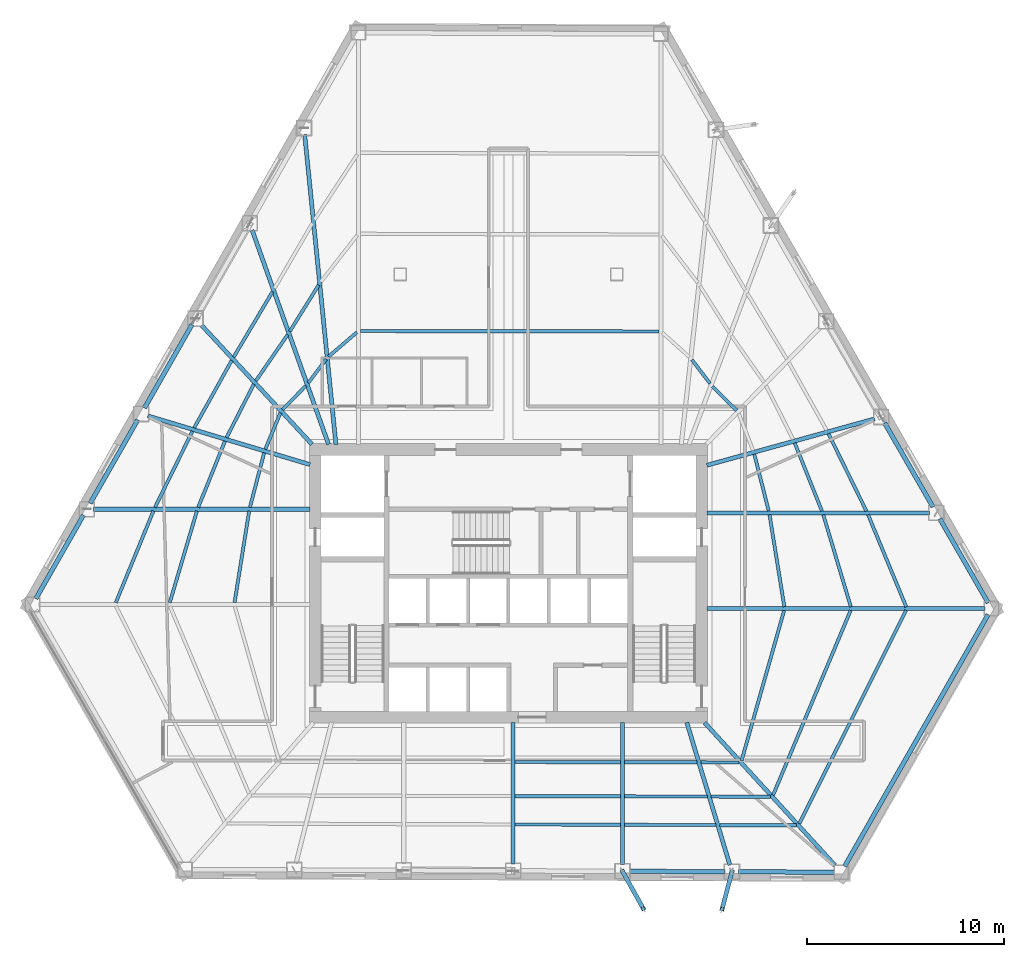
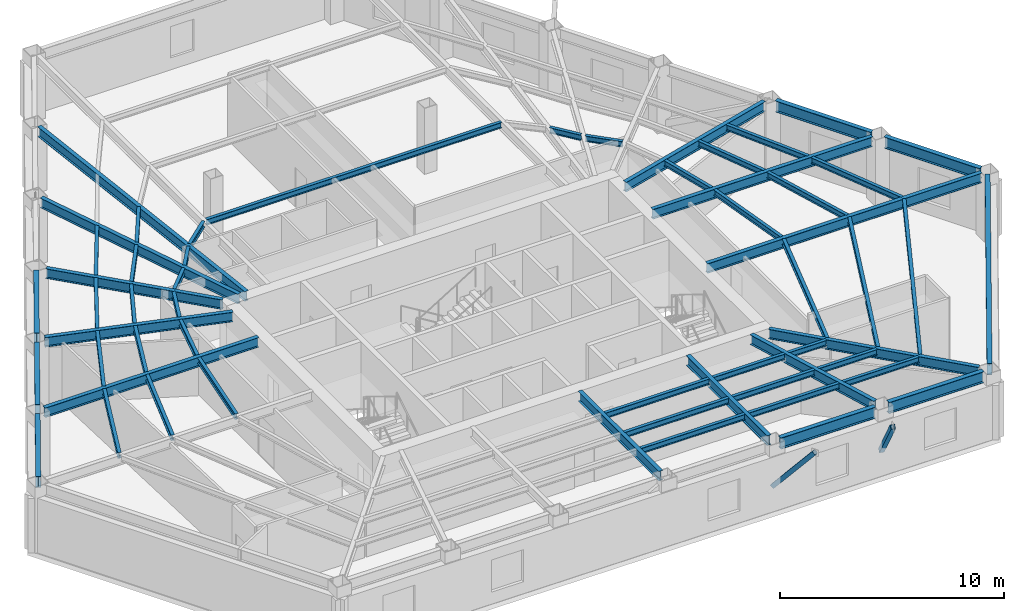
# One storey, part 3 of 13: 56 beams, 2 members.
"""IFC4 building model written with IfcOpenShell, lengths in metres."""

from ifc_helpers import new_model, si_unit, direction, frame, origin, origin_2d, place, context, subcontext, project, spatial, hollow_rectangle, i_section, extrude, material, material_profile, profile_set, type_object, element, save


model = new_model("IFC4")

# Units and contexts
model_context = context("Model", 3, precision=1e-05, world=origin(), true_north=direction((0.0, 1.0)))
body_context = subcontext(model_context, "Body", "Model", "MODEL_VIEW")
ifc_project = project(units=[si_unit("LENGTHUNIT", "METRE"), si_unit("AREAUNIT", "SQUARE_METRE"), si_unit("VOLUMEUNIT", "CUBIC_METRE"), si_unit("PLANEANGLEUNIT", "RADIAN"), si_unit("MASSUNIT", "GRAM", prefix="KILO")], contexts=[model_context])

# Site, building, storey
site_placement = place(None, origin())
site = spatial("IfcSite", under=ifc_project, at=site_placement, CompositionType="ELEMENT")
building_placement = place(site_placement, origin())
building = spatial("IfcBuilding", under=site, at=building_placement, Name="Kavelnor Concourse Tower", CompositionType="ELEMENT")
storey_placement = place(building_placement, frame((0.0, 0.0, 36.800048828125)))
storey = spatial("IfcBuildingStorey", under=building, at=storey_placement, Name="L09", CompositionType="ELEMENT", Elevation=36.800048828125)

# Beams
ifc_material = material(Name="Steel Grade 350", Category="steel")
ifc_material_profile_1 = material_profile(ifc_material, i_section(OverallWidth=0.166015625, OverallDepth=0.306884765625, WebThickness=0.006591796875, FlangeThickness=0.01171875, at=origin_2d()), Name="310UB46")
ifc_profile_set_1 = profile_set([ifc_material_profile_1], Name="Steel Grade 350")
beam_type_1 = type_object("IfcBeamType", Name="BM-JOIST-310", PredefinedType="JOIST", material=ifc_profile_set_1)
for number, where, z_axis, x_axis, name in (
    (1, (38.335205078125, 7.022216796875, 3.4365234375), (0.999999352103, -0.001138329105, 0.0), (0.001138329105, 0.999999352103, 0.0), "L09 Secondary Composite Joist 05-1"),
    (2, (38.335205078125, 5.292724609375, 3.4365234375), (0.999997710079, -0.002140055203, 0.0), (0.002140055203, 0.999997710079, 0.0), "L09 Secondary Composite Joist 05-2"),
    (3, (38.335205078125, 3.8515625, 3.4365234375), (0.999995484445, -0.003005177214, 0.0), (0.003005177214, 0.999995484445, 0.0), "L09 Secondary Composite Joist 05-3"),
):
    element("IfcBeam", number, at=place(storey_placement, frame(where, z_axis=z_axis, x_axis=x_axis)), inside=storey, type_object=beam_type_1, Name=name, PredefinedType="JOIST", context=body_context, shape_type="SweptSolid", body=[
        extrude(i_section(OverallWidth=0.166015625, OverallDepth=0.306884765625, WebThickness=0.006591796875, FlangeThickness=0.01171875, at=origin_2d()), origin(), (0.0, 0.0, 1.0), 5.36181640625),
    ])
beam_1_placement = place(storey_placement, frame((43.89404296875, 7.015625, 3.4365234375), z_axis=(0.999998276675, -0.001856514504, 0.0), x_axis=(0.001856514504, 0.999998276675, 0.0)))
element("IfcBeam", 4, at=beam_1_placement, inside=storey, type_object=beam_type_1, Name="L09 Secondary Composite Joist 06-1", PredefinedType="JOIST", context=body_context, shape_type="SweptSolid", body=[
    extrude(i_section(OverallWidth=0.166015625, OverallDepth=0.306884765625, WebThickness=0.006591796875, FlangeThickness=0.01171875, at=origin_2d()), origin(), (0.0, 0.0, 1.0), 3.68212890625),
])
beam_2_placement = place(storey_placement, frame((43.89404296875, 5.28076171875, 3.4365234375), z_axis=(0.999996281732, -0.002726998854, 0.0), x_axis=(0.002726998854, 0.999996281732, 0.0)))
element("IfcBeam", 5, at=beam_2_placement, inside=storey, type_object=beam_type_1, Name="L09 Secondary Composite Joist 06-2", PredefinedType="JOIST", context=body_context, shape_type="SweptSolid", body=[
    extrude(i_section(OverallWidth=0.166015625, OverallDepth=0.306884765625, WebThickness=0.006591796875, FlangeThickness=0.01171875, at=origin_2d()), origin(), (0.0, 0.0, 1.0), 4.207763671875),
])
beam_3_placement = place(storey_placement, frame((43.89404296875, 3.8349609375, 3.4365234375), z_axis=(0.999994519558, -0.0033107181, 0.0), x_axis=(0.0033107181, 0.999994519558, 0.0)))
element("IfcBeam", 6, at=beam_3_placement, inside=storey, type_object=beam_type_1, Name="L09 Secondary Composite Joist 06-3", PredefinedType="JOIST", context=body_context, shape_type="SweptSolid", body=[
    extrude(i_section(OverallWidth=0.166015625, OverallDepth=0.306884765625, WebThickness=0.006591796875, FlangeThickness=0.01171875, at=origin_2d()), origin(), (0.0, 0.0, 1.0), 4.645751953125),
])
beam_4_placement = place(storey_placement, frame((47.773193359375, 7.00830078125, 3.4365234375), z_axis=(0.999988057764, -0.004887159681, 0.0), x_axis=(0.004887159681, 0.999988057764, 0.0)))
element("IfcBeam", 7, at=beam_4_placement, inside=storey, type_object=beam_type_1, Name="L09 Secondary Composite Joist 07-1", PredefinedType="JOIST", context=body_context, shape_type="SweptSolid", body=[
    extrude(i_section(OverallWidth=0.166015625, OverallDepth=0.306884765625, WebThickness=0.006591796875, FlangeThickness=0.01171875, at=origin_2d()), origin(), (0.0, 0.0, 1.0), 1.9482421875),
])
beam_5_placement = place(storey_placement, frame((48.298583984375, 5.268798828125, 3.4365234375), z_axis=(0.999993356323, -0.003645176268, 0.0), x_axis=(0.003645176268, 0.999993356323, 0.0)))
element("IfcBeam", 8, at=beam_5_placement, inside=storey, type_object=beam_type_1, Name="L09 Secondary Composite Joist 07-2", PredefinedType="JOIST", context=body_context, shape_type="SweptSolid", body=[
    extrude(i_section(OverallWidth=0.166015625, OverallDepth=0.306884765625, WebThickness=0.006591796875, FlangeThickness=0.01171875, at=origin_2d()), origin(), (0.0, 0.0, 1.0), 3.013916015625),
])
beam_6_placement = place(storey_placement, frame((48.73681640625, 3.819091796875, 3.4365234375), z_axis=(0.999995104993, -0.003128895823, 0.0), x_axis=(0.003128895823, 0.999995104993, 0.0)))
element("IfcBeam", 9, at=beam_6_placement, inside=storey, type_object=beam_type_1, Name="L09 Secondary Composite Joist 07-3", PredefinedType="JOIST", context=body_context, shape_type="SweptSolid", body=[
    extrude(i_section(OverallWidth=0.166015625, OverallDepth=0.306884765625, WebThickness=0.006591796875, FlangeThickness=0.01171875, at=origin_2d()), origin(), (0.0, 0.0, 1.0), 3.9013671875),
])
beam_7_placement = place(storey_placement, frame((49.8466796875, 7.093017578125, 3.4365234375), z_axis=(0.272525166753, 0.962148654568, 0.0), x_axis=(-0.962148654568, 0.272525166753, 0.0)))
element("IfcBeam", 10, at=beam_7_placement, inside=storey, type_object=beam_type_1, Name="L09 Secondary Composite Joist 08-1", PredefinedType="JOIST", context=body_context, shape_type="SweptSolid", body=[
    extrude(i_section(OverallWidth=0.166015625, OverallDepth=0.306884765625, WebThickness=0.006591796875, FlangeThickness=0.01171875, at=origin_2d()), origin(), (0.0, 0.0, 1.0), 7.931884765625),
])
beam_8_placement = place(storey_placement, frame((51.44921875, 5.34814453125, 3.4365234375), z_axis=(0.387076223089, 0.922047719762, 0.0), x_axis=(-0.922047719762, 0.387076223089, 0.0)))
element("IfcBeam", 11, at=beam_8_placement, inside=storey, type_object=beam_type_1, Name="L09 Secondary Composite Joist 08-2", PredefinedType="JOIST", context=body_context, shape_type="SweptSolid", body=[
    extrude(i_section(OverallWidth=0.166015625, OverallDepth=0.306884765625, WebThickness=0.006591796875, FlangeThickness=0.01171875, at=origin_2d()), origin(), (0.0, 0.0, 1.0), 10.173583984375),
])
beam_9_placement = place(storey_placement, frame((52.781005859375, 3.89453125, 3.4365234375), z_axis=(0.447680896946, 0.894193387646, 0.0), x_axis=(-0.894193387646, 0.447680896946, 0.0)))
element("IfcBeam", 12, at=beam_9_placement, inside=storey, type_object=beam_type_1, Name="L09 Secondary Composite Joist 08-3", PredefinedType="JOIST", context=body_context, shape_type="SweptSolid", body=[
    extrude(i_section(OverallWidth=0.166015625, OverallDepth=0.306884765625, WebThickness=0.006591796875, FlangeThickness=0.01171875, at=origin_2d()), origin(), (0.0, 0.0, 1.0), 12.119140625),
])
beam_10_placement = place(storey_placement, frame((52.01953125, 14.916748046875, 3.4365234375), z_axis=(-0.159026474637, 0.9872743187, 0.0), x_axis=(-0.9872743187, -0.159026474637, 0.0)))
element("IfcBeam", 13, at=beam_10_placement, inside=storey, type_object=beam_type_1, Name="L09 Secondary Composite Joist 09-1", PredefinedType="JOIST", context=body_context, shape_type="SweptSolid", body=[
    extrude(i_section(OverallWidth=0.166015625, OverallDepth=0.306884765625, WebThickness=0.006591796875, FlangeThickness=0.01171875, at=origin_2d()), origin(), (0.0, 0.0, 1.0), 4.733154296875),
])
beam_11_placement = place(storey_placement, frame((55.397216796875, 14.913818359375, 3.4365234375), z_axis=(-0.286618524565, 0.958044790903, 0.0), x_axis=(-0.958044790903, -0.286618524565, 0.0)))
element("IfcBeam", 14, at=beam_11_placement, inside=storey, type_object=beam_type_1, Name="L09 Secondary Composite Joist 09-2", PredefinedType="JOIST", context=body_context, shape_type="SweptSolid", body=[
    extrude(i_section(OverallWidth=0.166015625, OverallDepth=0.306884765625, WebThickness=0.006591796875, FlangeThickness=0.01171875, at=origin_2d()), origin(), (0.0, 0.0, 1.0), 4.88330078125),
])
beam_12_placement = place(storey_placement, frame((58.212890625, 14.910400390625, 3.4365234375), z_axis=(-0.382676345112, 0.923882468116, 0.0), x_axis=(-0.923882468116, -0.382676345112, 0.0)))
element("IfcBeam", 15, at=beam_12_placement, inside=storey, type_object=beam_type_1, Name="L09 Secondary Composite Joist 09-3", PredefinedType="JOIST", context=body_context, shape_type="SweptSolid", body=[
    extrude(i_section(OverallWidth=0.166015625, OverallDepth=0.306884765625, WebThickness=0.006591796875, FlangeThickness=0.01171875, at=origin_2d()), origin(), (0.0, 0.0, 1.0), 5.0712890625),
])
beam_13_placement = place(storey_placement, frame((51.226806640625, 19.7822265625, 3.4365234375), z_axis=(-0.246757670458, 0.969077216774, 0.0), x_axis=(-0.969077216774, -0.246757670458, 0.0)))
element("IfcBeam", 16, at=beam_13_placement, inside=storey, type_object=beam_type_1, Name="L09 Secondary Composite Joist 10-1", PredefinedType="JOIST", context=body_context, shape_type="SweptSolid", body=[
    extrude(i_section(OverallWidth=0.166015625, OverallDepth=0.306884765625, WebThickness=0.006591796875, FlangeThickness=0.01171875, at=origin_2d()), origin(), (0.0, 0.0, 1.0), 2.97802734375),
])
beam_14_placement = place(storey_placement, frame((53.9326171875, 19.7783203125, 3.4365234375), z_axis=(-0.371243787656, 0.928535432887, 0.0), x_axis=(-0.928535432887, -0.371243787656, 0.0)))
element("IfcBeam", 17, at=beam_14_placement, inside=storey, type_object=beam_type_1, Name="L09 Secondary Composite Joist 10-2", PredefinedType="JOIST", context=body_context, shape_type="SweptSolid", body=[
    extrude(i_section(OverallWidth=0.166015625, OverallDepth=0.306884765625, WebThickness=0.006591796875, FlangeThickness=0.01171875, at=origin_2d()), origin(), (0.0, 0.0, 1.0), 3.7255859375),
])
beam_15_placement = place(storey_placement, frame((56.191162109375, 19.775146484375, 3.4365234375), z_axis=(-0.440250530354, 0.897874974884, 0.0), x_axis=(-0.897874974884, -0.440250530354, 0.0)))
element("IfcBeam", 18, at=beam_15_placement, inside=storey, type_object=beam_type_1, Name="L09 Secondary Composite Joist 10-3", PredefinedType="JOIST", context=body_context, shape_type="SweptSolid", body=[
    extrude(i_section(OverallWidth=0.166015625, OverallDepth=0.306884765625, WebThickness=0.006591796875, FlangeThickness=0.01171875, at=origin_2d()), origin(), (0.0, 0.0, 1.0), 4.38427734375),
])
beam_16_placement = place(storey_placement, frame((49.59375, 24.892578125, 3.4365234375), z_axis=(-0.707742827078, 0.706470162654, 0.0), x_axis=(-0.706470162654, -0.707742827078, 0.0)))
element("IfcBeam", 19, at=beam_16_placement, inside=storey, type_object=beam_type_1, Name="L09 Secondary Composite Joist 12-1", PredefinedType="JOIST", context=body_context, shape_type="SweptSolid", body=[
    extrude(i_section(OverallWidth=0.166015625, OverallDepth=0.306884765625, WebThickness=0.006591796875, FlangeThickness=0.01171875, at=origin_2d()), origin(), (0.0, 0.0, 1.0), 1.7265625),
])
beam_17_placement = place(storey_placement, frame((48.242431640625, 26.26025390625, 3.4365234375), z_axis=(-0.606169429646, 0.795335540865, 0.0), x_axis=(-0.795335540865, -0.606169429646, 0.0)))
element("IfcBeam", 20, at=beam_17_placement, inside=storey, type_object=beam_type_1, Name="L09 Secondary Composite Joist 13-1", PredefinedType="JOIST", context=body_context, shape_type="SweptSolid", body=[
    extrude(i_section(OverallWidth=0.166015625, OverallDepth=0.306884765625, WebThickness=0.006591796875, FlangeThickness=0.01171875, at=origin_2d()), origin(), (0.0, 0.0, 1.0), 1.51513671875),
])
beam_18_placement = place(storey_placement, frame((45.645263671875, 28.906494140625, 3.4365234375), z_axis=(-0.999999310406, 0.001174387865, 0.0), x_axis=(-0.001174387865, -0.999999310406, 0.0)))
element("IfcBeam", 21, at=beam_18_placement, inside=storey, type_object=beam_type_1, Name="L09 Secondary Composite Joist 15-1", PredefinedType="JOIST", context=body_context, shape_type="SweptSolid", body=[
    extrude(i_section(OverallWidth=0.166015625, OverallDepth=0.306884765625, WebThickness=0.006591796875, FlangeThickness=0.01171875, at=origin_2d()), origin(), (0.0, 0.0, 1.0), 15.17578125),
])
beam_19_placement = place(storey_placement, frame((30.296142578125, 28.860107421875, 3.4365234375), z_axis=(-0.759420986277, -0.650599543193, 0.0), x_axis=(0.650599543193, -0.759420986277, 0.0)))
element("IfcBeam", 22, at=beam_19_placement, inside=storey, type_object=beam_type_1, Name="L09 Secondary Composite Joist 16-1", PredefinedType="JOIST", context=body_context, shape_type="SweptSolid", body=[
    extrude(i_section(OverallWidth=0.166015625, OverallDepth=0.306884765625, WebThickness=0.006591796875, FlangeThickness=0.01171875, at=origin_2d()), origin(), (0.0, 0.0, 1.0), 1.88671875),
])
beam_20_placement = place(storey_placement, frame((28.729248046875, 27.489501953125, 3.4365234375), z_axis=(-0.600443352276, -0.799667293759, 0.0), x_axis=(0.799667293759, -0.600443352276, 0.0)))
element("IfcBeam", 23, at=beam_20_placement, inside=storey, type_object=beam_type_1, Name="L09 Secondary Composite Joist 17-1", PredefinedType="JOIST", context=body_context, shape_type="SweptSolid", body=[
    extrude(i_section(OverallWidth=0.166015625, OverallDepth=0.306884765625, WebThickness=0.006591796875, FlangeThickness=0.01171875, at=origin_2d()), origin(), (0.0, 0.0, 1.0), 1.49755859375),
])
beam_21_placement = place(storey_placement, frame((28.355224609375, 31.26318359375, 3.4365234375), z_axis=(-0.528810082343, -0.84874018216, 0.0), x_axis=(0.84874018216, -0.528810082343, 0.0)))
element("IfcBeam", 24, at=beam_21_placement, inside=storey, type_object=beam_type_1, Name="L09 Secondary Composite Joist 17-2", PredefinedType="JOIST", context=body_context, shape_type="SweptSolid", body=[
    extrude(i_section(OverallWidth=0.166015625, OverallDepth=0.306884765625, WebThickness=0.006591796875, FlangeThickness=0.01171875, at=origin_2d()), origin(), (0.0, 0.0, 1.0), 2.77001953125),
])
beam_22_placement = place(storey_placement, frame((27.701904296875, 26.142822265625, 3.4365234375), z_axis=(-0.699210925714, -0.714915436512, 0.0), x_axis=(0.714915436512, -0.699210925714, 0.0)))
element("IfcBeam", 25, at=beam_22_placement, inside=storey, type_object=beam_type_1, Name="L09 Secondary Composite Joist 18-1", PredefinedType="JOIST", context=body_context, shape_type="SweptSolid", body=[
    extrude(i_section(OverallWidth=0.166015625, OverallDepth=0.306884765625, WebThickness=0.006591796875, FlangeThickness=0.01171875, at=origin_2d()), origin(), (0.0, 0.0, 1.0), 1.694580078125),
])
beam_23_placement = place(storey_placement, frame((26.78271484375, 28.747314453125, 3.4365234375), z_axis=(-0.567064719326, -0.823673238666, 0.0), x_axis=(0.823673238666, -0.567064719326, 0.0)))
element("IfcBeam", 26, at=beam_23_placement, inside=storey, type_object=beam_type_1, Name="L09 Secondary Composite Joist 18-2", PredefinedType="JOIST", context=body_context, shape_type="SweptSolid", body=[
    extrude(i_section(OverallWidth=0.166015625, OverallDepth=0.306884765625, WebThickness=0.006591796875, FlangeThickness=0.01171875, at=origin_2d()), origin(), (0.0, 0.0, 1.0), 2.86083984375),
])
beam_24_placement = place(storey_placement, frame((26.010986328125, 30.923095703125, 3.4365234375), z_axis=(-0.511240622759, -0.859437621728, 0.0), x_axis=(0.859437621728, -0.511240622759, 0.0)))
element("IfcBeam", 27, at=beam_24_placement, inside=storey, type_object=beam_type_1, Name="L09 Secondary Composite Joist 18-3", PredefinedType="JOIST", context=body_context, shape_type="SweptSolid", body=[
    extrude(i_section(OverallWidth=0.166015625, OverallDepth=0.306884765625, WebThickness=0.006591796875, FlangeThickness=0.01171875, at=origin_2d()), origin(), (0.0, 0.0, 1.0), 3.86474609375),
])
beam_25_placement = place(storey_placement, frame((26.41064453125, 24.77001953125, 3.4365234375), z_axis=(-0.381769226416, -0.924257679309, 0.0), x_axis=(0.924257679309, -0.381769226416, 0.0)))
element("IfcBeam", 28, at=beam_25_placement, inside=storey, type_object=beam_type_1, Name="L09 Secondary Composite Joist 19-1", PredefinedType="JOIST", context=body_context, shape_type="SweptSolid", body=[
    extrude(i_section(OverallWidth=0.166015625, OverallDepth=0.306884765625, WebThickness=0.006591796875, FlangeThickness=0.01171875, at=origin_2d()), origin(), (0.0, 0.0, 1.0), 1.9990234375),
])
beam_26_placement = place(storey_placement, frame((25.059814453125, 26.221923828125, 3.4365234375), z_axis=(-0.454869249595, -0.890558232668, 0.0), x_axis=(0.890558232668, -0.454869249595, 0.0)))
element("IfcBeam", 29, at=beam_26_placement, inside=storey, type_object=beam_type_1, Name="L09 Secondary Composite Joist 19-2", PredefinedType="JOIST", context=body_context, shape_type="SweptSolid", body=[
    extrude(i_section(OverallWidth=0.166015625, OverallDepth=0.306884765625, WebThickness=0.006591796875, FlangeThickness=0.01171875, at=origin_2d()), origin(), (0.0, 0.0, 1.0), 3.042236328125),
])
beam_27_placement = place(storey_placement, frame((23.93701171875, 27.430908203125, 3.4365234375), z_axis=(-0.486409497669, -0.873730965788, 0.0), x_axis=(0.873730965788, -0.486409497669, 0.0)))
element("IfcBeam", 30, at=beam_27_placement, inside=storey, type_object=beam_type_1, Name="L09 Secondary Composite Joist 19-3", PredefinedType="JOIST", context=body_context, shape_type="SweptSolid", body=[
    extrude(i_section(OverallWidth=0.166015625, OverallDepth=0.306884765625, WebThickness=0.006591796875, FlangeThickness=0.01171875, at=origin_2d()), origin(), (0.0, 0.0, 1.0), 3.919921875),
])
beam_28_placement = place(storey_placement, frame((25.5849609375, 22.736083984375, 3.4365234375), z_axis=(-0.252380217866, -0.967628144294, 0.0), x_axis=(0.967628144294, -0.252380217866, 0.0)))
element("IfcBeam", 31, at=beam_28_placement, inside=storey, type_object=beam_type_1, Name="L09 Secondary Composite Joist 20-1", PredefinedType="JOIST", context=body_context, shape_type="SweptSolid", body=[
    extrude(i_section(OverallWidth=0.166015625, OverallDepth=0.306884765625, WebThickness=0.006591796875, FlangeThickness=0.01171875, at=origin_2d()), origin(), (0.0, 0.0, 1.0), 2.861328125),
])
beam_29_placement = place(storey_placement, frame((23.594482421875, 23.333740234375, 3.4365234375), z_axis=(-0.374515243814, -0.927220756967, 0.0), x_axis=(0.927220756967, -0.374515243814, 0.0)))
element("IfcBeam", 32, at=beam_29_placement, inside=storey, type_object=beam_type_1, Name="L09 Secondary Composite Joist 20-2", PredefinedType="JOIST", context=body_context, shape_type="SweptSolid", body=[
    extrude(i_section(OverallWidth=0.166015625, OverallDepth=0.306884765625, WebThickness=0.006591796875, FlangeThickness=0.01171875, at=origin_2d()), origin(), (0.0, 0.0, 1.0), 3.635009765625),
])
beam_30_placement = place(storey_placement, frame((21.93896484375, 23.831298828125, 3.4365234375), z_axis=(-0.440793456643, -0.897608560889, 0.0), x_axis=(0.897608560889, -0.440793456643, 0.0)))
element("IfcBeam", 33, at=beam_30_placement, inside=storey, type_object=beam_type_1, Name="L09 Secondary Composite Joist 20-3", PredefinedType="JOIST", context=body_context, shape_type="SweptSolid", body=[
    extrude(i_section(OverallWidth=0.166015625, OverallDepth=0.306884765625, WebThickness=0.006591796875, FlangeThickness=0.01171875, at=origin_2d()), origin(), (0.0, 0.0, 1.0), 4.3125),
])
beam_31_placement = place(storey_placement, frame((24.822509765625, 19.774658203125, 3.4365234375), z_axis=(-0.157565695616, -0.987508507085, 0.0), x_axis=(0.987508507085, -0.157565695616, 0.0)))
element("IfcBeam", 34, at=beam_31_placement, inside=storey, type_object=beam_type_1, Name="L09 Secondary Composite Joist 21-1", PredefinedType="JOIST", context=body_context, shape_type="SweptSolid", body=[
    extrude(i_section(OverallWidth=0.166015625, OverallDepth=0.306884765625, WebThickness=0.006591796875, FlangeThickness=0.01171875, at=origin_2d()), origin(), (0.0, 0.0, 1.0), 4.707275390625),
])
beam_32_placement = place(storey_placement, frame((22.168212890625, 19.777587890625, 3.4365234375), z_axis=(-0.284107165862, -0.95879253142, 0.0), x_axis=(0.95879253142, -0.284107165862, 0.0)))
element("IfcBeam", 35, at=beam_32_placement, inside=storey, type_object=beam_type_1, Name="L09 Secondary Composite Joist 21-2", PredefinedType="JOIST", context=body_context, shape_type="SweptSolid", body=[
    extrude(i_section(OverallWidth=0.166015625, OverallDepth=0.306884765625, WebThickness=0.006591796875, FlangeThickness=0.01171875, at=origin_2d()), origin(), (0.0, 0.0, 1.0), 4.854248046875),
])
beam_33_placement = place(storey_placement, frame((19.95751953125, 19.781005859375, 3.4365234375), z_axis=(-0.379589326455, -0.925155091453, 0.0), x_axis=(0.925155091453, -0.379589326455, 0.0)))
element("IfcBeam", 36, at=beam_33_placement, inside=storey, type_object=beam_type_1, Name="L09 Secondary Composite Joist 21-3", PredefinedType="JOIST", context=body_context, shape_type="SweptSolid", body=[
    extrude(i_section(OverallWidth=0.166015625, OverallDepth=0.306884765625, WebThickness=0.006591796875, FlangeThickness=0.01171875, at=origin_2d()), origin(), (0.0, 0.0, 1.0), 5.037841796875),
])
ifc_material_profile_2 = material_profile(ifc_material, i_section(OverallWidth=0.208984375, OverallDepth=0.528076171875, WebThickness=0.009521484375, FlangeThickness=0.01318359375, at=origin_2d()), Name="530UB82")
ifc_profile_set_2 = profile_set([ifc_material_profile_2], Name="Steel Grade 350")
beam_type_2 = type_object("IfcBeamType", Name="BM-PRIMARY-530", PredefinedType="BEAM", material=ifc_profile_set_2)
beam_34_placement = place(storey_placement, frame((29.23291015625, 23.16015625, 3.325927734375), z_axis=(-0.100319437317, 0.994955280652, 0.0), x_axis=(-0.994955280652, -0.100319437317, 0.0)))
element("IfcBeam", 37, at=beam_34_placement, inside=storey, type_object=beam_type_2, Name="L09 Primary Floor Girder F0-B1", PredefinedType="BEAM", context=body_context, shape_type="SweptSolid", body=[
    extrude(i_section(OverallWidth=0.208984375, OverallDepth=0.528076171875, WebThickness=0.009521484375, FlangeThickness=0.01318359375, at=origin_2d()), origin(), (0.0, 0.0, 1.0), 15.823486328125),
])
beam_35_placement = place(storey_placement, frame((28.858642578125, 23.162353515625, 3.325927734375), z_axis=(-0.335837669857, 0.941919879557, 0.0), x_axis=(-0.941919879557, -0.335837669857, 0.0)))
element("IfcBeam", 38, at=beam_35_placement, inside=storey, type_object=beam_type_2, Name="L09 Primary Floor Girder F0-B2", PredefinedType="BEAM", context=body_context, shape_type="SweptSolid", body=[
    extrude(i_section(OverallWidth=0.208984375, OverallDepth=0.528076171875, WebThickness=0.009521484375, FlangeThickness=0.01318359375, at=origin_2d()), origin(), (0.0, 0.0, 1.0), 11.568115234375),
])
beam_36_placement = place(storey_placement, frame((28.01611328125, 23.170654296875, 3.325927734375), z_axis=(-0.680023335972, 0.733190468114, 0.0), x_axis=(-0.733190468114, -0.680023335972, 0.0)))
element("IfcBeam", 39, at=beam_36_placement, inside=storey, type_object=beam_type_2, Name="L09 Primary Floor Girder F0-B3", PredefinedType="BEAM", context=body_context, shape_type="SweptSolid", body=[
    extrude(i_section(OverallWidth=0.208984375, OverallDepth=0.528076171875, WebThickness=0.009521484375, FlangeThickness=0.01318359375, at=origin_2d()), origin(), (0.0, 0.0, 1.0), 8.2333984375),
])
beam_37_placement = place(storey_placement, frame((27.918212890625, 22.138671875, 3.325927734375), z_axis=(-0.957805985436, 0.287415542834, 0.0), x_axis=(-0.287415542834, -0.957805985436, 0.0)))
element("IfcBeam", 40, at=beam_37_placement, inside=storey, type_object=beam_type_2, Name="L09 Primary Floor Girder F0-B4", PredefinedType="BEAM", context=body_context, shape_type="SweptSolid", body=[
    extrude(i_section(OverallWidth=0.208984375, OverallDepth=0.528076171875, WebThickness=0.009521484375, FlangeThickness=0.01318359375, at=origin_2d()), origin(), (0.0, 0.0, 1.0), 8.607421875),
])
beam_38_placement = place(storey_placement, frame((27.919921875, 19.8720703125, 3.325927734375), z_axis=(-1.0, 0.0, 0.0), x_axis=(0.0, -1.0, 0.0)))
element("IfcBeam", 41, at=beam_38_placement, inside=storey, type_object=beam_type_2, Name="L09 Primary Floor Girder F0-B5", PredefinedType="BEAM", context=body_context, shape_type="SweptSolid", body=[
    extrude(i_section(OverallWidth=0.208984375, OverallDepth=0.528076171875, WebThickness=0.009521484375, FlangeThickness=0.01318359375, at=origin_2d()), origin(), (0.0, 0.0, 1.0), 11.00732421875),
])
beam_39_placement = place(storey_placement, frame((38.23681640625, 9.0400390625, 3.325927734375), z_axis=(0.0, -1.0, 0.0), x_axis=(1.0, 0.0, 0.0)))
element("IfcBeam", 42, at=beam_39_placement, inside=storey, type_object=beam_type_2, Name="L09 Primary Floor Girder F1-B3", PredefinedType="BEAM", context=body_context, shape_type="SweptSolid", body=[
    extrude(i_section(OverallWidth=0.208984375, OverallDepth=0.528076171875, WebThickness=0.009521484375, FlangeThickness=0.01318359375, at=origin_2d()), origin(), (0.0, 0.0, 1.0), 7.205810546875),
])
beam_40_placement = place(storey_placement, frame((43.795654296875, 9.0400390625, 3.325927734375), z_axis=(0.0, -1.0, 0.0), x_axis=(1.0, 0.0, 0.0)))
element("IfcBeam", 43, at=beam_40_placement, inside=storey, type_object=beam_type_2, Name="L09 Primary Floor Girder F1-B4", PredefinedType="BEAM", context=body_context, shape_type="SweptSolid", body=[
    extrude(i_section(OverallWidth=0.208984375, OverallDepth=0.528076171875, WebThickness=0.009521484375, FlangeThickness=0.01318359375, at=origin_2d()), origin(), (0.0, 0.0, 1.0), 7.22900390625),
])
beam_41_placement = place(storey_placement, frame((47.0615234375, 9.038330078125, 3.325927734375), z_axis=(0.289181325392, -0.957274339489, 0.0), x_axis=(0.957274339489, 0.289181325392, 0.0)))
element("IfcBeam", 44, at=beam_41_placement, inside=storey, type_object=beam_type_2, Name="L09 Primary Floor Girder F1-B5", PredefinedType="BEAM", context=body_context, shape_type="SweptSolid", body=[
    extrude(i_section(OverallWidth=0.208984375, OverallDepth=0.528076171875, WebThickness=0.009521484375, FlangeThickness=0.01318359375, at=origin_2d()), origin(), (0.0, 0.0, 1.0), 7.572021484375),
])
beam_42_placement = place(storey_placement, frame((47.9638671875, 9.029541015625, 3.325927734375), z_axis=(0.674590941087, -0.738191751649, 0.0), x_axis=(0.738191751649, 0.674590941087, 0.0)))
element("IfcBeam", 45, at=beam_42_placement, inside=storey, type_object=beam_type_2, Name="L09 Primary Floor Girder F1-B6", PredefinedType="BEAM", context=body_context, shape_type="SweptSolid", body=[
    extrude(i_section(OverallWidth=0.208984375, OverallDepth=0.528076171875, WebThickness=0.009521484375, FlangeThickness=0.01318359375, at=origin_2d()), origin(), (0.0, 0.0, 1.0), 9.826904296875),
])
beam_43_placement = place(storey_placement, frame((48.080078125, 14.819580078125, 3.325927734375), z_axis=(1.0, 0.0, 0.0), x_axis=(0.0, 1.0, 0.0)))
element("IfcBeam", 46, at=beam_43_placement, inside=storey, type_object=beam_type_2, Name="L09 Primary Floor Girder F2-B0", PredefinedType="BEAM", context=body_context, shape_type="SweptSolid", body=[
    extrude(i_section(OverallWidth=0.208984375, OverallDepth=0.528076171875, WebThickness=0.009521484375, FlangeThickness=0.01318359375, at=origin_2d()), origin(), (0.0, 0.0, 1.0), 14.125732421875),
])
beam_44_placement = place(storey_placement, frame((48.080078125, 19.686767578125, 3.325927734375), z_axis=(1.0, 0.0, 0.0), x_axis=(0.0, 1.0, 0.0)))
element("IfcBeam", 47, at=beam_44_placement, inside=storey, type_object=beam_type_2, Name="L09 Primary Floor Girder F2-B1", PredefinedType="BEAM", context=body_context, shape_type="SweptSolid", body=[
    extrude(i_section(OverallWidth=0.208984375, OverallDepth=0.528076171875, WebThickness=0.009521484375, FlangeThickness=0.01318359375, at=origin_2d()), origin(), (0.0, 0.0, 1.0), 11.325439453125),
])
beam_45_placement = place(storey_placement, frame((48.081298828125, 22.10400390625, 3.325927734375), z_axis=(0.963856540723, 0.266421787597, 0.0), x_axis=(-0.266421787597, 0.963856540723, 0.0)))
element("IfcBeam", 48, at=beam_45_placement, inside=storey, type_object=beam_type_2, Name="L09 Primary Floor Girder F2-B2", PredefinedType="BEAM", context=body_context, shape_type="SweptSolid", body=[
    extrude(i_section(OverallWidth=0.208984375, OverallDepth=0.528076171875, WebThickness=0.009521484375, FlangeThickness=0.01318359375, at=origin_2d()), origin(), (0.0, 0.0, 1.0), 8.842041015625),
])
ifc_material_profile_3 = material_profile(ifc_material, i_section(OverallWidth=0.22900390625, OverallDepth=0.612060546875, WebThickness=0.011962890625, FlangeThickness=0.01953125, at=origin_2d()), Name="610UB125")
ifc_profile_set_3 = profile_set([ifc_material_profile_3], Name="Steel Grade 350")
beam_type_3 = type_object("IfcBeamType", Name="BM-SPANDREL-Z1", PredefinedType="SPANDREL", material=ifc_profile_set_3)
beam_46_placement = place(storey_placement, frame((21.921142578125, 29.25830078125, 3.283935546875), z_axis=(-0.495061934102, -0.868857687658, 0.0), x_axis=(0.868857687658, -0.495061934102, 0.0)))
element("IfcBeam", 49, at=beam_46_placement, inside=storey, type_object=beam_type_3, Name="L09 Perimeter Tube Spandrel Beam F0-B3", PredefinedType="SPANDREL", context=body_context, shape_type="SweptSolid", body=[
    extrude(i_section(OverallWidth=0.22900390625, OverallDepth=0.612060546875, WebThickness=0.011962890625, FlangeThickness=0.01953125, at=origin_2d()), origin(), (0.0, 0.0, 1.0), 4.88427734375),
])
beam_47_placement = place(storey_placement, frame((19.16162109375, 24.415283203125, 3.283935546875), z_axis=(-0.495121170141, -0.868823933187, 0.0), x_axis=(0.868823933187, -0.495121170141, 0.0)))
element("IfcBeam", 50, at=beam_47_placement, inside=storey, type_object=beam_type_3, Name="L09 Perimeter Tube Spandrel Beam F0-B4", PredefinedType="SPANDREL", context=body_context, shape_type="SweptSolid", body=[
    extrude(i_section(OverallWidth=0.22900390625, OverallDepth=0.612060546875, WebThickness=0.011962890625, FlangeThickness=0.01953125, at=origin_2d()), origin(), (0.0, 0.0, 1.0), 4.884033203125),
])
beam_48_placement = place(storey_placement, frame((16.40185546875, 19.572265625, 3.283935546875), z_axis=(-0.495061934102, -0.868857687658, 0.0), x_axis=(0.868857687658, -0.495061934102, 0.0)))
element("IfcBeam", 51, at=beam_48_placement, inside=storey, type_object=beam_type_3, Name="L09 Perimeter Tube Spandrel Beam F0-B5", PredefinedType="SPANDREL", context=body_context, shape_type="SweptSolid", body=[
    extrude(i_section(OverallWidth=0.22900390625, OverallDepth=0.612060546875, WebThickness=0.011962890625, FlangeThickness=0.01953125, at=origin_2d()), origin(), (0.0, 0.0, 1.0), 4.88427734375),
])
for number, where, z_axis, x_axis, name in (
    (52, (44.140625, 1.4697265625, 3.283935546875), (0.999991339568, -0.004161825261, 0.0), (0.004161825261, 0.999991339568, 0.0), "L09 Perimeter Tube Spandrel Beam F1-B4"),
    (53, (49.699462890625, 1.446533203125, 3.283935546875), (0.999991339568, -0.004161825261, 0.0), (0.004161825261, 0.999991339568, 0.0), "L09 Perimeter Tube Spandrel Beam F1-B5"),
):
    element("IfcBeam", number, at=place(storey_placement, frame(where, z_axis=z_axis, x_axis=x_axis)), inside=storey, type_object=beam_type_3, Name=name, PredefinedType="SPANDREL", context=body_context, shape_type="SweptSolid", body=[
        extrude(i_section(OverallWidth=0.22900390625, OverallDepth=0.612060546875, WebThickness=0.011962890625, FlangeThickness=0.01953125, at=origin_2d()), origin(), (0.0, 0.0, 1.0), 4.868896484375),
    ])
beam_49_placement = place(storey_placement, frame((62.373779296875, 15.118408203125, 3.283935546875), z_axis=(-0.498693682094, 0.866778294283, 0.0), x_axis=(-0.866778294283, -0.498693682094, 0.0)))
element("IfcBeam", 54, at=beam_49_placement, inside=storey, type_object=beam_type_3, Name="L09 Perimeter Tube Spandrel Beam F2-B0", PredefinedType="SPANDREL", context=body_context, shape_type="SweptSolid", body=[
    extrude(i_section(OverallWidth=0.22900390625, OverallDepth=0.612060546875, WebThickness=0.011962890625, FlangeThickness=0.01953125, at=origin_2d()), origin(), (0.0, 0.0, 1.0), 4.925537109375),
])
beam_50_placement = place(storey_placement, frame((59.573486328125, 19.98583984375, 3.283935546875), z_axis=(-0.498715108542, 0.866765966402, 0.0), x_axis=(-0.866765966402, -0.498715108542, 0.0)))
element("IfcBeam", 55, at=beam_50_placement, inside=storey, type_object=beam_type_3, Name="L09 Perimeter Tube Spandrel Beam F2-B1", PredefinedType="SPANDREL", context=body_context, shape_type="SweptSolid", body=[
    extrude(i_section(OverallWidth=0.22900390625, OverallDepth=0.612060546875, WebThickness=0.011962890625, FlangeThickness=0.01953125, at=origin_2d()), origin(), (0.0, 0.0, 1.0), 4.92529296875),
])
beam_51_placement = place(storey_placement, frame((55.083984375, 1.724609375, 3.283935546875), z_axis=(0.495088798517, 0.868842380172, 0.0), x_axis=(-0.868842380172, 0.495088798517, 0.0)))
element("IfcBeam", 56, at=beam_51_placement, inside=storey, type_object=beam_type_3, Name="L09 Chamfer Facet Spandrel Beam C2", PredefinedType="SPANDREL", context=body_context, shape_type="SweptSolid", body=[
    extrude(i_section(OverallWidth=0.22900390625, OverallDepth=0.612060546875, WebThickness=0.011962890625, FlangeThickness=0.01953125, at=origin_2d()), origin(), (0.0, 0.0, 1.0), 14.7265625),
])

# Members
ifc_material_profile_4 = material_profile(ifc_material, hollow_rectangle(XDim=0.219970703125, YDim=0.219970703125, WallThickness=0.013916015625, at=origin_2d()), Name="SHS 220x220x14")
ifc_profile_set_4 = profile_set([ifc_material_profile_4], Name="Steel Grade 350")
member_type = type_object("IfcMemberType", Name="MBR-BALC-STRUT-220", PredefinedType="STRUT", material=ifc_profile_set_4)
member_1_placement = place(storey_placement, frame((43.795654296875, 1.47119140625, 1.050048828125), z_axis=(0.311907400854, -0.560239486432, 0.767362685524), x_axis=(0.873717806123, 0.48643313545, 0.0)))
element("IfcMember", 57, at=member_1_placement, inside=storey, type_object=member_type, Name="L09 Tree Balcony Raking Knee Strut 1-A", PredefinedType="STRUT", context=body_context, shape_type="SweptSolid", body=[
    extrude(hollow_rectangle(XDim=0.219970703125, YDim=0.219970703125, WallThickness=0.013916015625, at=origin_2d()), origin(), (0.0, 0.0, 1.0), 3.394775390625),
])
member_2_placement = place(storey_placement, frame((49.3544921875, 1.447998046875, 1.050048828125), z_axis=(-0.153231502811, -0.582399422792, 0.798330144037), x_axis=(0.96708741068, -0.254444375266, 0.0)))
element("IfcMember", 58, at=member_2_placement, inside=storey, type_object=member_type, Name="L09 Tree Balcony Raking Knee Strut 1-B", PredefinedType="STRUT", context=body_context, shape_type="SweptSolid", body=[
    extrude(hollow_rectangle(XDim=0.219970703125, YDim=0.219970703125, WallThickness=0.013916015625, at=origin_2d()), origin(), (0.0, 0.0, 1.0), 3.262939453125),
])

save(model, "model.ifc")
